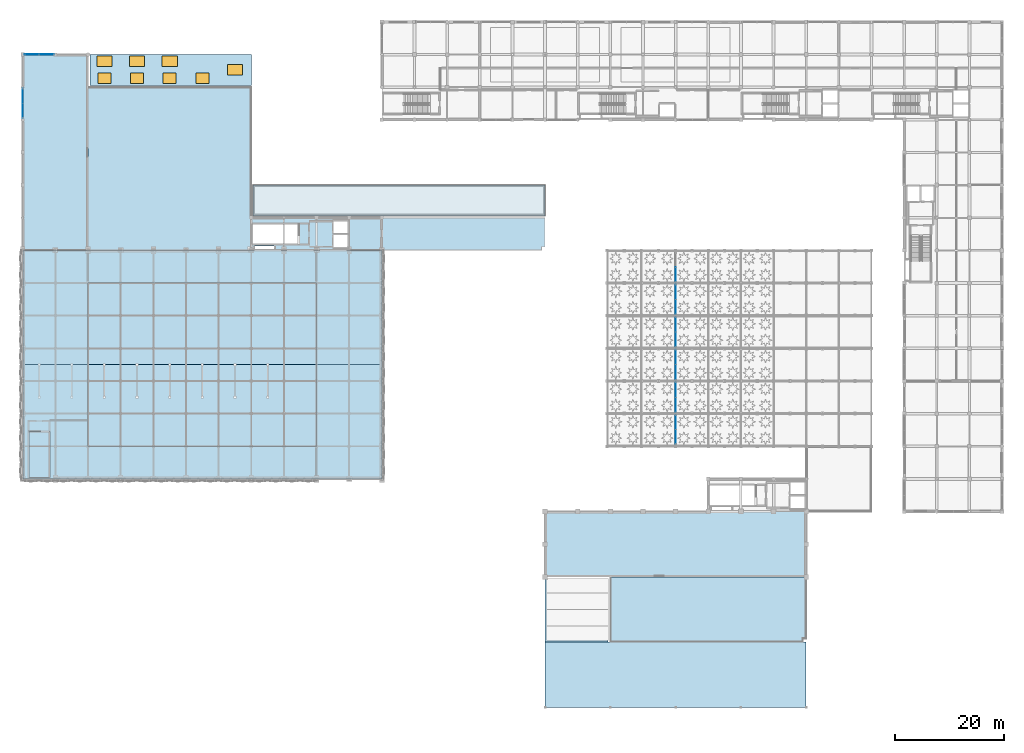
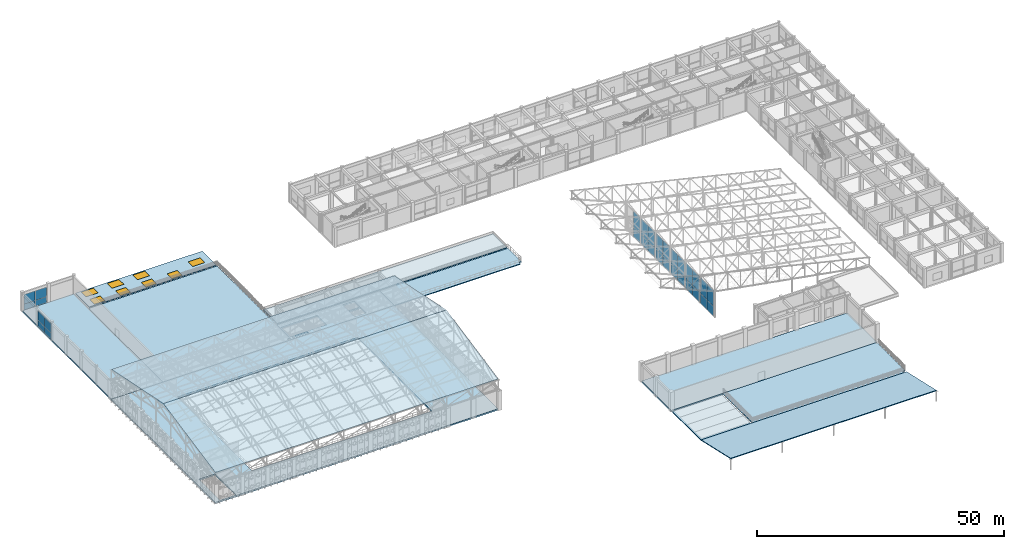
# One storey, part 82 of 112: 30 plates, 13 slabs, 8 windows, 8 openings, 8 elements without a shape of their own.
"""IFC4 building model written with IfcOpenShell, lengths in metres."""

from ifc_helpers import new_model, si_unit, direction, frame, frame_2d, origin, origin_2d, place, context, subcontext, project, spatial, polyline, rectangle, outline, extrude, material, layer, layer_set, type_object, element, fill, aggregate, save


model = new_model("IFC4")

# Units and contexts
model_context = context("Model", 3, precision=1e-05, world=origin(), true_north=direction((0.0, 1.0)))
body_context = subcontext(model_context, "Body", "Model", "MODEL_VIEW")
ifc_project = project(units=[si_unit("LENGTHUNIT", "METRE"), si_unit("AREAUNIT", "SQUARE_METRE"), si_unit("VOLUMEUNIT", "CUBIC_METRE"), si_unit("PLANEANGLEUNIT", "RADIAN"), si_unit("MASSUNIT", "GRAM", prefix="KILO"), si_unit("THERMODYNAMICTEMPERATUREUNIT", "KELVIN"), si_unit("POWERUNIT", "WATT")], contexts=[model_context])

# Site, building, storey
site_placement = place(None, origin())
site = spatial("IfcSite", under=ifc_project, at=site_placement, CompositionType="ELEMENT")
building_placement = place(site_placement, origin())
building = spatial("IfcBuilding", under=site, at=building_placement, Name="Phaisarnlok Congress Hotel", CompositionType="ELEMENT")
storey_placement = place(building_placement, frame((0.0, 0.0, 19.800048828125)))
storey = spatial("IfcBuildingStorey", under=building, at=storey_placement, Name="L04", CompositionType="ELEMENT", Elevation=19.800048828125)

# Curtain wall, plates
ifc_material_1 = material(Name="Thermally Broken Unitised Aluminium & Low-E Glazing", Category="aluminium")
curtain_wall_type_1 = type_object("IfcCurtainWallType", Name="CW-UNIT-33", PredefinedType="NOTDEFINED", material=ifc_material_1)
curtain_wall_1_placement = place(storey_placement, origin())
curtain_wall_1 = element("IfcCurtainWall", 1, at=curtain_wall_1_placement, inside=storey, type_object=curtain_wall_type_1, Name="Unitised curtain wall CW-33 (L04)", PredefinedType="NOTDEFINED")
ifc_material_2 = material(Name="Double Low-E Insulated Glazing", Category="glass")
ifc_layer_1 = layer(ifc_material_2, 0.028076171875, Name="Double Low-E Insulated Glazing")
ifc_layer_set_1 = layer_set([ifc_layer_1], Name="Double Low-E Insulated Glazing")
plate_type_1 = type_object("IfcPlateType", Name="CWP-GLZ-28", PredefinedType="CURTAIN_PANEL", material=ifc_layer_set_1)
plate_1_placement = place(storey_placement, frame((5.64990234375, 120.0, 0.0400390625), z_axis=(0.0, 0.0, 1.0), x_axis=(-1.0, 0.0, 0.0)))
plate_1 = element("IfcPlate", 2, at=plate_1_placement, type_object=plate_type_1, Name="Glazed curtain panel CWP-01", PredefinedType="CURTAIN_PANEL", context=body_context, shape_type="SweptSolid", body=[
    extrude(rectangle(XDim=2.622314453125, YDim=0.028076171875, at=frame_2d((1.31103515625, 0.0))), origin(), (0.0, 0.0, 1.0), 1.44580078125),
])
plate_2_placement = place(storey_placement, frame((5.64990234375, 120.0, 1.48583984375), z_axis=(0.0, 0.0, 1.0), x_axis=(-1.0, 0.0, 0.0)))
plate_2 = element("IfcPlate", 3, at=plate_2_placement, type_object=plate_type_1, Name="Glazed curtain panel CWP-01", PredefinedType="CURTAIN_PANEL", context=body_context, shape_type="SweptSolid", body=[
    extrude(rectangle(XDim=2.622314453125, YDim=0.028076171875, at=frame_2d((1.31103515625, 0.0))), origin(), (0.0, 0.0, 1.0), 2.384033203125),
])
plate_3_placement = place(storey_placement, frame((2.99755859375, 120.0, 0.0400390625), z_axis=(0.0, 0.0, 1.0), x_axis=(-1.0, 0.0, 0.0)))
plate_3 = element("IfcPlate", 4, at=plate_3_placement, type_object=plate_type_1, Name="Glazed curtain panel CWP-01", PredefinedType="CURTAIN_PANEL", context=body_context, shape_type="SweptSolid", body=[
    extrude(rectangle(XDim=2.62255859375, YDim=0.028076171875, at=frame_2d((1.311279296875, 0.0))), origin(), (0.0, 0.0, 1.0), 1.44580078125),
])
plate_4_placement = place(storey_placement, frame((2.99755859375, 120.0, 1.48583984375), z_axis=(0.0, 0.0, 1.0), x_axis=(-1.0, 0.0, 0.0)))
plate_4 = element("IfcPlate", 5, at=plate_4_placement, type_object=plate_type_1, Name="Glazed curtain panel CWP-01", PredefinedType="CURTAIN_PANEL", context=body_context, shape_type="SweptSolid", body=[
    extrude(rectangle(XDim=2.62255859375, YDim=0.028076171875, at=frame_2d((1.311279296875, 0.0))), origin(), (0.0, 0.0, 1.0), 2.384033203125),
])
aggregate(curtain_wall_1, [plate_1, plate_2, plate_3, plate_4])

curtain_wall_type_2 = type_object("IfcCurtainWallType", Name="CW-UNIT-34", PredefinedType="NOTDEFINED", material=ifc_material_1)
curtain_wall_2_placement = place(storey_placement, origin())
curtain_wall_2 = element("IfcCurtainWall", 6, at=curtain_wall_2_placement, inside=storey, type_object=curtain_wall_type_2, Name="Unitised curtain wall CW-34 (L04)", PredefinedType="NOTDEFINED")
plate_5_placement = place(storey_placement, frame((0.0, 113.720947265625, 0.0400390625), z_axis=(0.0, 0.0, 1.0), x_axis=(0.0, -1.0, 0.0)))
plate_5 = element("IfcPlate", 7, at=plate_5_placement, type_object=plate_type_1, Name="Glazed curtain panel CWP-01", PredefinedType="CURTAIN_PANEL", context=body_context, shape_type="SweptSolid", body=[
    extrude(rectangle(XDim=2.657958984375, YDim=0.028076171875, at=frame_2d((1.3291015625, 0.0))), origin(), (0.0, 0.0, 1.0), 1.44580078125),
])
plate_6_placement = place(storey_placement, frame((0.0, 113.720947265625, 1.48583984375), z_axis=(0.0, 0.0, 1.0), x_axis=(0.0, -1.0, 0.0)))
plate_6 = element("IfcPlate", 8, at=plate_6_placement, type_object=plate_type_1, Name="Glazed curtain panel CWP-01", PredefinedType="CURTAIN_PANEL", context=body_context, shape_type="SweptSolid", body=[
    extrude(rectangle(XDim=2.657958984375, YDim=0.028076171875, at=frame_2d((1.3291015625, 0.0))), origin(), (0.0, 0.0, 1.0), 2.384033203125),
])
plate_7_placement = place(storey_placement, frame((0.0, 111.032958984375, 0.0400390625), z_axis=(0.0, 0.0, 1.0), x_axis=(0.0, -1.0, 0.0)))
plate_7 = element("IfcPlate", 9, at=plate_7_placement, type_object=plate_type_1, Name="Glazed curtain panel CWP-01", PredefinedType="CURTAIN_PANEL", context=body_context, shape_type="SweptSolid", body=[
    extrude(rectangle(XDim=2.657958984375, YDim=0.028076171875, at=frame_2d((1.3291015625, 0.0))), origin(), (0.0, 0.0, 1.0), 1.44580078125),
])
plate_8_placement = place(storey_placement, frame((0.0, 111.032958984375, 1.48583984375), z_axis=(0.0, 0.0, 1.0), x_axis=(0.0, -1.0, 0.0)))
plate_8 = element("IfcPlate", 10, at=plate_8_placement, type_object=plate_type_1, Name="Glazed curtain panel CWP-01", PredefinedType="CURTAIN_PANEL", context=body_context, shape_type="SweptSolid", body=[
    extrude(rectangle(XDim=2.657958984375, YDim=0.028076171875, at=frame_2d((1.3291015625, 0.0))), origin(), (0.0, 0.0, 1.0), 2.384033203125),
])
aggregate(curtain_wall_2, [plate_5, plate_6, plate_7, plate_8])

curtain_wall_type_3 = type_object("IfcCurtainWallType", Name="CW-UNIT-42", PredefinedType="NOTDEFINED", material=ifc_material_1)
curtain_wall_3_placement = place(storey_placement, origin())
curtain_wall_3 = element("IfcCurtainWall", 11, at=curtain_wall_3_placement, inside=storey, type_object=curtain_wall_type_3, Name="Unitised curtain wall CW-42 (L04)", PredefinedType="NOTDEFINED")
ifc_material_3 = material(Name="Triple Acoustic Solar-Control Glazing", Category="glass")
ifc_layer_2 = layer(ifc_material_3, 0.035888671875, Name="Triple Acoustic Solar-Control Glazing")
ifc_layer_set_2 = layer_set([ifc_layer_2], Name="Triple Acoustic Solar-Control Glazing")
plate_type_2 = type_object("IfcPlateType", Name="CWP-GLZ-36", PredefinedType="CURTAIN_PANEL", material=ifc_layer_set_2)
plate_9_placement = place(storey_placement, frame((120.0, 53.739990234375, 0.030029296875), z_axis=(0.0, 0.0, 1.0), x_axis=(0.0, -1.0, 0.0)))
plate_9 = element("IfcPlate", 12, at=plate_9_placement, type_object=plate_type_2, Name="Glazed curtain panel CWP-02", PredefinedType="CURTAIN_PANEL", context=body_context, shape_type="SweptSolid", body=[
    extrude(rectangle(XDim=2.614990234375, YDim=0.028076171875, at=frame_2d((1.3076171875, 0.0))), origin(), (0.0, 0.0, 1.0), 2.4033203125),
])
plate_10_placement = place(storey_placement, frame((120.0, 53.739990234375, 2.433349609375), z_axis=(0.0, 0.0, 1.0), x_axis=(0.0, -1.0, 0.0)))
plate_10 = element("IfcPlate", 13, at=plate_10_placement, type_object=plate_type_2, Name="Glazed curtain panel CWP-02", PredefinedType="CURTAIN_PANEL", context=body_context, shape_type="SweptSolid", body=[
    extrude(rectangle(XDim=2.614990234375, YDim=0.028076171875, at=frame_2d((1.3076171875, 0.0))), origin(), (0.0, 0.0, 1.0), 3.946533203125),
])
plate_11_placement = place(storey_placement, frame((120.0, 51.094970703125, 0.030029296875), z_axis=(0.0, 0.0, 1.0), x_axis=(0.0, -1.0, 0.0)))
plate_11 = element("IfcPlate", 14, at=plate_11_placement, type_object=plate_type_2, Name="Glazed curtain panel CWP-02", PredefinedType="CURTAIN_PANEL", context=body_context, shape_type="SweptSolid", body=[
    extrude(rectangle(XDim=2.614990234375, YDim=0.028076171875, at=frame_2d((1.3076171875, 0.0))), origin(), (0.0, 0.0, 1.0), 2.4033203125),
])
plate_12_placement = place(storey_placement, frame((120.0, 51.094970703125, 2.433349609375), z_axis=(0.0, 0.0, 1.0), x_axis=(0.0, -1.0, 0.0)))
plate_12 = element("IfcPlate", 15, at=plate_12_placement, type_object=plate_type_2, Name="Glazed curtain panel CWP-02", PredefinedType="CURTAIN_PANEL", context=body_context, shape_type="SweptSolid", body=[
    extrude(rectangle(XDim=2.614990234375, YDim=0.028076171875, at=frame_2d((1.3076171875, 0.0))), origin(), (0.0, 0.0, 1.0), 3.946533203125),
])
aggregate(curtain_wall_3, [plate_9, plate_10, plate_11, plate_12])

curtain_wall_type_4 = type_object("IfcCurtainWallType", Name="CW-UNIT-45", PredefinedType="NOTDEFINED", material=ifc_material_1)
curtain_wall_4_placement = place(storey_placement, origin())
curtain_wall_4 = element("IfcCurtainWall", 16, at=curtain_wall_4_placement, inside=storey, type_object=curtain_wall_type_4, Name="Unitised curtain wall CW-45 (L04)", PredefinedType="NOTDEFINED")
plate_13_placement = place(storey_placement, frame((120.0, 59.739990234375, 0.030029296875), z_axis=(0.0, 0.0, 1.0), x_axis=(0.0, -1.0, 0.0)))
plate_13 = element("IfcPlate", 17, at=plate_13_placement, type_object=plate_type_2, Name="Glazed curtain panel CWP-02", PredefinedType="CURTAIN_PANEL", context=body_context, shape_type="SweptSolid", body=[
    extrude(rectangle(XDim=2.72509765625, YDim=0.028076171875, at=frame_2d((1.362548828125, 0.0))), origin(), (0.0, 0.0, 1.0), 2.4033203125),
])
plate_14_placement = place(storey_placement, frame((120.0, 59.739990234375, 2.433349609375), z_axis=(0.0, 0.0, 1.0), x_axis=(0.0, -1.0, 0.0)))
plate_14 = element("IfcPlate", 18, at=plate_14_placement, type_object=plate_type_2, Name="Glazed curtain panel CWP-02", PredefinedType="CURTAIN_PANEL", context=body_context, shape_type="SweptSolid", body=[
    extrude(rectangle(XDim=2.72509765625, YDim=0.028076171875, at=frame_2d((1.362548828125, 0.0))), origin(), (0.0, 0.0, 1.0), 3.946533203125),
])
plate_15_placement = place(storey_placement, frame((120.0, 56.985107421875, 0.030029296875), z_axis=(0.0, 0.0, 1.0), x_axis=(0.0, -1.0, 0.0)))
plate_15 = element("IfcPlate", 19, at=plate_15_placement, type_object=plate_type_2, Name="Glazed curtain panel CWP-02", PredefinedType="CURTAIN_PANEL", context=body_context, shape_type="SweptSolid", body=[
    extrude(rectangle(XDim=2.72509765625, YDim=0.028076171875, at=frame_2d((1.362548828125, 0.0))), origin(), (0.0, 0.0, 1.0), 2.4033203125),
])
plate_16_placement = place(storey_placement, frame((120.0, 56.985107421875, 2.433349609375), z_axis=(0.0, 0.0, 1.0), x_axis=(0.0, -1.0, 0.0)))
plate_16 = element("IfcPlate", 20, at=plate_16_placement, type_object=plate_type_2, Name="Glazed curtain panel CWP-02", PredefinedType="CURTAIN_PANEL", context=body_context, shape_type="SweptSolid", body=[
    extrude(rectangle(XDim=2.72509765625, YDim=0.028076171875, at=frame_2d((1.362548828125, 0.0))), origin(), (0.0, 0.0, 1.0), 3.946533203125),
])
aggregate(curtain_wall_4, [plate_13, plate_14, plate_15, plate_16])

curtain_wall_5_placement = place(storey_placement, origin())
curtain_wall_5 = element("IfcCurtainWall", 21, at=curtain_wall_5_placement, inside=storey, type_object=curtain_wall_type_4, Name="Unitised curtain wall CW-45 (L04)", PredefinedType="NOTDEFINED")
plate_17_placement = place(storey_placement, frame((120.0, 65.739990234375, 0.030029296875), z_axis=(0.0, 0.0, 1.0), x_axis=(0.0, -1.0, 0.0)))
plate_17 = element("IfcPlate", 22, at=plate_17_placement, type_object=plate_type_2, Name="Glazed curtain panel CWP-02", PredefinedType="CURTAIN_PANEL", context=body_context, shape_type="SweptSolid", body=[
    extrude(rectangle(XDim=2.72509765625, YDim=0.028076171875, at=frame_2d((1.362548828125, 0.0))), origin(), (0.0, 0.0, 1.0), 2.4033203125),
])
plate_18_placement = place(storey_placement, frame((120.0, 65.739990234375, 2.433349609375), z_axis=(0.0, 0.0, 1.0), x_axis=(0.0, -1.0, 0.0)))
plate_18 = element("IfcPlate", 23, at=plate_18_placement, type_object=plate_type_2, Name="Glazed curtain panel CWP-02", PredefinedType="CURTAIN_PANEL", context=body_context, shape_type="SweptSolid", body=[
    extrude(rectangle(XDim=2.72509765625, YDim=0.028076171875, at=frame_2d((1.362548828125, 0.0))), origin(), (0.0, 0.0, 1.0), 3.946533203125),
])
plate_19_placement = place(storey_placement, frame((120.0, 62.985107421875, 0.030029296875), z_axis=(0.0, 0.0, 1.0), x_axis=(0.0, -1.0, 0.0)))
plate_19 = element("IfcPlate", 24, at=plate_19_placement, type_object=plate_type_2, Name="Glazed curtain panel CWP-02", PredefinedType="CURTAIN_PANEL", context=body_context, shape_type="SweptSolid", body=[
    extrude(rectangle(XDim=2.72509765625, YDim=0.028076171875, at=frame_2d((1.362548828125, 0.0))), origin(), (0.0, 0.0, 1.0), 2.4033203125),
])
plate_20_placement = place(storey_placement, frame((120.0, 62.985107421875, 2.433349609375), z_axis=(0.0, 0.0, 1.0), x_axis=(0.0, -1.0, 0.0)))
plate_20 = element("IfcPlate", 25, at=plate_20_placement, type_object=plate_type_2, Name="Glazed curtain panel CWP-02", PredefinedType="CURTAIN_PANEL", context=body_context, shape_type="SweptSolid", body=[
    extrude(rectangle(XDim=2.72509765625, YDim=0.028076171875, at=frame_2d((1.362548828125, 0.0))), origin(), (0.0, 0.0, 1.0), 3.946533203125),
])
aggregate(curtain_wall_5, [plate_17, plate_18, plate_19, plate_20])

curtain_wall_6_placement = place(storey_placement, origin())
curtain_wall_6 = element("IfcCurtainWall", 26, at=curtain_wall_6_placement, inside=storey, type_object=curtain_wall_type_4, Name="Unitised curtain wall CW-45 (L04)", PredefinedType="NOTDEFINED")
plate_21_placement = place(storey_placement, frame((120.0, 71.739990234375, 0.030029296875), z_axis=(0.0, 0.0, 1.0), x_axis=(0.0, -1.0, 0.0)))
plate_21 = element("IfcPlate", 27, at=plate_21_placement, type_object=plate_type_2, Name="Glazed curtain panel CWP-02", PredefinedType="CURTAIN_PANEL", context=body_context, shape_type="SweptSolid", body=[
    extrude(rectangle(XDim=2.72509765625, YDim=0.028076171875, at=frame_2d((1.362548828125, 0.0))), origin(), (0.0, 0.0, 1.0), 2.4033203125),
])
plate_22_placement = place(storey_placement, frame((120.0, 71.739990234375, 2.433349609375), z_axis=(0.0, 0.0, 1.0), x_axis=(0.0, -1.0, 0.0)))
plate_22 = element("IfcPlate", 28, at=plate_22_placement, type_object=plate_type_2, Name="Glazed curtain panel CWP-02", PredefinedType="CURTAIN_PANEL", context=body_context, shape_type="SweptSolid", body=[
    extrude(rectangle(XDim=2.72509765625, YDim=0.028076171875, at=frame_2d((1.362548828125, 0.0))), origin(), (0.0, 0.0, 1.0), 3.946533203125),
])
plate_23_placement = place(storey_placement, frame((120.0, 68.985107421875, 0.030029296875), z_axis=(0.0, 0.0, 1.0), x_axis=(0.0, -1.0, 0.0)))
plate_23 = element("IfcPlate", 29, at=plate_23_placement, type_object=plate_type_2, Name="Glazed curtain panel CWP-02", PredefinedType="CURTAIN_PANEL", context=body_context, shape_type="SweptSolid", body=[
    extrude(rectangle(XDim=2.72509765625, YDim=0.028076171875, at=frame_2d((1.362548828125, 0.0))), origin(), (0.0, 0.0, 1.0), 2.4033203125),
])
plate_24_placement = place(storey_placement, frame((120.0, 68.985107421875, 2.433349609375), z_axis=(0.0, 0.0, 1.0), x_axis=(0.0, -1.0, 0.0)))
plate_24 = element("IfcPlate", 30, at=plate_24_placement, type_object=plate_type_2, Name="Glazed curtain panel CWP-02", PredefinedType="CURTAIN_PANEL", context=body_context, shape_type="SweptSolid", body=[
    extrude(rectangle(XDim=2.72509765625, YDim=0.028076171875, at=frame_2d((1.362548828125, 0.0))), origin(), (0.0, 0.0, 1.0), 3.946533203125),
])
aggregate(curtain_wall_6, [plate_21, plate_22, plate_23, plate_24])

curtain_wall_7_placement = place(storey_placement, origin())
curtain_wall_7 = element("IfcCurtainWall", 31, at=curtain_wall_7_placement, inside=storey, type_object=curtain_wall_type_4, Name="Unitised curtain wall CW-45 (L04)", PredefinedType="NOTDEFINED")
plate_25_placement = place(storey_placement, frame((120.0, 77.739990234375, 0.030029296875), z_axis=(0.0, 0.0, 1.0), x_axis=(0.0, -1.0, 0.0)))
plate_25 = element("IfcPlate", 32, at=plate_25_placement, type_object=plate_type_2, Name="Glazed curtain panel CWP-02", PredefinedType="CURTAIN_PANEL", context=body_context, shape_type="SweptSolid", body=[
    extrude(rectangle(XDim=2.72509765625, YDim=0.028076171875, at=frame_2d((1.362548828125, 0.0))), origin(), (0.0, 0.0, 1.0), 2.4033203125),
])
plate_26_placement = place(storey_placement, frame((120.0, 77.739990234375, 2.433349609375), z_axis=(0.0, 0.0, 1.0), x_axis=(0.0, -1.0, 0.0)))
plate_26 = element("IfcPlate", 33, at=plate_26_placement, type_object=plate_type_2, Name="Glazed curtain panel CWP-02", PredefinedType="CURTAIN_PANEL", context=body_context, shape_type="SweptSolid", body=[
    extrude(rectangle(XDim=2.72509765625, YDim=0.028076171875, at=frame_2d((1.362548828125, 0.0))), origin(), (0.0, 0.0, 1.0), 3.946533203125),
])
plate_27_placement = place(storey_placement, frame((120.0, 74.985107421875, 0.030029296875), z_axis=(0.0, 0.0, 1.0), x_axis=(0.0, -1.0, 0.0)))
plate_27 = element("IfcPlate", 34, at=plate_27_placement, type_object=plate_type_2, Name="Glazed curtain panel CWP-02", PredefinedType="CURTAIN_PANEL", context=body_context, shape_type="SweptSolid", body=[
    extrude(rectangle(XDim=2.72509765625, YDim=0.028076171875, at=frame_2d((1.362548828125, 0.0))), origin(), (0.0, 0.0, 1.0), 2.4033203125),
])
plate_28_placement = place(storey_placement, frame((120.0, 74.985107421875, 2.433349609375), z_axis=(0.0, 0.0, 1.0), x_axis=(0.0, -1.0, 0.0)))
plate_28 = element("IfcPlate", 35, at=plate_28_placement, type_object=plate_type_2, Name="Glazed curtain panel CWP-02", PredefinedType="CURTAIN_PANEL", context=body_context, shape_type="SweptSolid", body=[
    extrude(rectangle(XDim=2.72509765625, YDim=0.028076171875, at=frame_2d((1.362548828125, 0.0))), origin(), (0.0, 0.0, 1.0), 3.946533203125),
])
aggregate(curtain_wall_7, [plate_25, plate_26, plate_27, plate_28])

curtain_wall_8_placement = place(storey_placement, origin())
curtain_wall_8 = element("IfcCurtainWall", 36, at=curtain_wall_8_placement, inside=storey, type_object=curtain_wall_type_3, Name="Unitised curtain wall CW-42 (L04)", PredefinedType="NOTDEFINED")
plate_29_placement = place(storey_placement, frame((120.0, 80.875, 0.030029296875), z_axis=(0.0, 0.0, 1.0), x_axis=(0.0, -1.0, 0.0)))
plate_29 = element("IfcPlate", 37, at=plate_29_placement, type_object=plate_type_2, Name="Glazed curtain panel CWP-02", PredefinedType="CURTAIN_PANEL", context=body_context, shape_type="SweptSolid", body=[
    extrude(rectangle(XDim=2.614990234375, YDim=0.028076171875, at=frame_2d((1.3076171875, 0.0))), origin(), (0.0, 0.0, 1.0), 2.4033203125),
])
plate_30_placement = place(storey_placement, frame((120.0, 80.875, 2.433349609375), z_axis=(0.0, 0.0, 1.0), x_axis=(0.0, -1.0, 0.0)))
plate_30 = element("IfcPlate", 38, at=plate_30_placement, type_object=plate_type_2, Name="Glazed curtain panel CWP-02", PredefinedType="CURTAIN_PANEL", context=body_context, shape_type="SweptSolid", body=[
    extrude(rectangle(XDim=2.614990234375, YDim=0.028076171875, at=frame_2d((1.3076171875, 0.0))), origin(), (0.0, 0.0, 1.0), 3.946533203125),
])
aggregate(curtain_wall_8, [plate_29, plate_30])

# Slabs
ifc_material_4 = material(Name="Concrete C40/50", Category="concrete")
ifc_layer_3 = layer(ifc_material_4, 0.35009765625, Name="Concrete C40/50")
ifc_layer_set_3 = layer_set([ifc_layer_3], Name="Concrete C40/50")
slab_type_1 = type_object("IfcSlabType", Name="SLB-INT-350", PredefinedType="FLOOR", material=ifc_layer_set_3)
slab_1_placement = place(storey_placement, frame((0.0, 0.0, -0.35009765625)))
element("IfcSlab", 39, at=slab_1_placement, inside=storey, type_object=slab_type_1, Name="Floor slab SL-INT-350 (L04 v1_lobby)", PredefinedType="FLOOR", context=body_context, shape_type="SweptSolid", body=[
    extrude(outline(polyline([(66.0, 42.0), (66.0, 84.0), (0.0, 84.0), (0.0, 42.0), (66.0, 42.0)]), holes=[polyline([(12.0, 48.0), (54.0, 48.0), (54.0, 78.0), (12.0, 78.0), (12.0, 48.0)]), polyline([(1.199951171875, 50.719970703125), (1.199951171875, 42.300048828125), (5.0, 42.300048828125), (5.0, 50.719970703125), (1.199951171875, 50.719970703125)])]), origin(), (0.0, 0.0, 1.0), 0.35009765625),
])
slab_2_placement = place(storey_placement, frame((0.0, 0.0, -0.35009765625)))
element("IfcSlab", 40, at=slab_2_placement, inside=storey, type_object=slab_type_1, Name="Floor slab SL-INT-350 (L04 v2_salon)", PredefinedType="FLOOR", context=body_context, shape_type="SweptSolid", body=[
    extrude(outline(polyline([(144.0, 24.0), (144.0, 36.0), (96.0, 36.0), (96.0, 24.0), (144.0, 24.0)])), origin(), (0.0, 0.0, 1.0), 0.35009765625),
])
slab_3_placement = place(storey_placement, frame((0.0, 0.0, -0.35009765625)))
element("IfcSlab", 41, at=slab_3_placement, inside=storey, type_object=slab_type_1, Name="Floor slab SL-INT-350 (L04 v3_mezz)", PredefinedType="FLOOR", context=body_context, shape_type="SweptSolid", body=[
    extrude(outline(polyline([(12.0, 84.0), (12.0, 120.0), (0.0, 120.0), (0.0, 84.0), (12.0, 84.0)])), origin(), (0.0, 0.0, 1.0), 0.35009765625),
])
slab_4_placement = place(storey_placement, frame((0.0, 0.0, -0.35009765625)))
element("IfcSlab", 42, at=slab_4_placement, inside=storey, type_object=slab_type_1, Name="Floor slab SL-INT-350 (L04 v4_n_core)", PredefinedType="FLOOR", context=body_context, shape_type="SweptSolid", body=[
    extrude(outline(polyline([(66.0, 84.0), (66.0, 90.0), (42.0, 90.0), (42.0, 84.0), (66.0, 84.0)]), holes=[polyline([(50.719970703125, 88.800048828125), (42.300048828125, 88.800048828125), (42.300048828125, 85.0), (50.719970703125, 85.0), (50.719970703125, 88.800048828125)]), polyline([(59.75, 84.60009765625), (59.75, 86.85009765625), (57.10009765625, 86.85009765625), (57.10009765625, 84.60009765625), (59.75, 84.60009765625)]), polyline([(59.75, 87.14990234375), (59.75, 89.39990234375), (57.10009765625, 89.39990234375), (57.10009765625, 87.14990234375), (59.75, 87.14990234375)]), polyline([(46.199951171875, 84.25), (46.199951171875, 84.85009765625), (42.60009765625, 84.85009765625), (42.60009765625, 84.25), (46.199951171875, 84.25)])]), origin(), (0.0, 0.0, 1.0), 0.35009765625),
])
ifc_layer_4 = layer(ifc_material_4, 0.179931640625, Name="Concrete C40/50")
ifc_layer_set_4 = layer_set([ifc_layer_4], Name="Concrete C40/50")
slab_type_2 = type_object("IfcSlabType", Name="SLB-ROOF-180", PredefinedType="ROOF", material=ifc_layer_set_4)
for number, where, z_axis, x_axis, name in (
    (43, (0.0, 42.0, 7.369873046875), (0.0, -0.199366260807, 0.979925045119), (1.0, 0.0, 0.0), "Congress Hall pitched space-frame roof slab south slope"),
    (44, (66.0, 84.0, 7.369873046875), (0.0, 0.199366260807, 0.979925045119), (-1.0, 0.0, 0.0), "Congress Hall pitched space-frame roof slab north slope"),
):
    element("IfcSlab", number, at=place(storey_placement, frame(where, z_axis=z_axis, x_axis=x_axis)), inside=storey, type_object=slab_type_2, Name=name, PredefinedType="ROOF", context=body_context, shape_type="SweptSolid", body=[
        extrude(outline(polyline([(0.0, 0.0), (66.0, 0.0), (66.0, 21.430210509056213), (0.0, 21.430210509056213), (0.0, 0.0)])), origin(), (0.0, 0.0, -1.0), 0.179931640625),
    ])
slab_5_placement = place(storey_placement, frame((96.0, 12.0, 0.02001953125), z_axis=(0.0, 0.22028279945, 0.975436050321), x_axis=(1.0, 0.0, 0.0)))
element("IfcSlab", 45, at=slab_5_placement, inside=storey, type_object=slab_type_2, Name="Grand Ballroom pitched roof slab", PredefinedType="ROOF", context=body_context, shape_type="SweptSolid", body=[
    extrude(outline(polyline([(0.0, 0.0), (48.0, 0.0), (48.0, -12.302190385568576), (0.0, -12.302190385568576), (0.0, 0.0)])), origin(), (0.0, 0.0, -1.0), 0.179931640625),
])
ifc_layer_5 = layer(ifc_material_4, 0.239990234375, Name="Concrete C40/50")
ifc_layer_set_5 = layer_set([ifc_layer_5], Name="Concrete C40/50")
slab_type_3 = type_object("IfcSlabType", Name="SLB-ROOF-240", PredefinedType="ROOF", material=ifc_layer_set_5)
slab_6_placement = place(storey_placement, frame((0.0, 0.0, -0.239990234375)))
element("IfcSlab", 46, at=slab_6_placement, inside=storey, type_object=slab_type_3, Name="Podium setback roof slab SL-ROOF-240 (L04 pod_min_n)", PredefinedType="ROOF", context=body_context, shape_type="SweptSolid", body=[
    extrude(outline(polyline([(42.340087890625, 90.340087890625), (96.0, 90.340087890625), (96.0, 96.0), (42.340087890625, 96.0), (42.340087890625, 90.340087890625)])), origin(), (0.0, 0.0, 1.0), 0.239990234375),
])
slab_7_placement = place(storey_placement, frame((0.0, 0.0, -0.239990234375)))
element("IfcSlab", 47, at=slab_7_placement, inside=storey, type_object=slab_type_3, Name="Grand Ballroom west roof deck", PredefinedType="ROOF", context=body_context, shape_type="SweptSolid", body=[
    extrude(outline(polyline([(96.0, 12.0), (107.60009765625, 12.0), (107.60009765625, 23.60009765625), (96.0, 23.60009765625), (96.0, 12.0)])), origin(), (0.0, 0.0, 1.0), 0.239990234375),
])

# Slab, openings, windows
slab_8_placement = place(storey_placement, frame((0.0, 0.0, -0.239990234375)))
slab_8 = element("IfcSlab", 48, at=slab_8_placement, inside=storey, type_object=slab_type_3, Name="Spa Vitality Pool skylight roof deck", PredefinedType="ROOF", context=body_context, shape_type="SweptSolid", body=[
    extrude(outline(polyline([(12.35009765625, 114.35009765625), (42.0, 114.35009765625), (42.0, 120.0), (12.35009765625, 120.0), (12.35009765625, 114.35009765625)])), origin(), (0.0, 0.0, 1.0), 0.239990234375),
])
opening_1_placement = place(slab_8_placement, frame((15.0, 115.64990234375, 0.0)))
opening_1 = element("IfcOpeningElement", 49, at=opening_1_placement, cuts=slab_8, Name="Opening SK-01", PredefinedType="OPENING", context=body_context, shape_type="SweptSolid", body=[
    extrude(rectangle(XDim=2.39990234375, YDim=1.89990234375, at=origin_2d()), frame((0.0, 0.0, -0.010009765625)), (0.0, 0.0, 1.0), 0.260009765625),
])
opening_2_placement = place(slab_8_placement, frame((15.0, 118.75, 0.0)))
opening_2 = element("IfcOpeningElement", 50, at=opening_2_placement, cuts=slab_8, Name="Opening SK-02", PredefinedType="OPENING", context=body_context, shape_type="SweptSolid", body=[
    extrude(rectangle(XDim=2.800048828125, YDim=1.89990234375, at=origin_2d()), frame((0.0, 0.0, -0.010009765625)), (0.0, 0.0, 1.0), 0.260009765625),
])
opening_3_placement = place(slab_8_placement, frame((21.0, 115.64990234375, 0.0)))
opening_3 = element("IfcOpeningElement", 51, at=opening_3_placement, cuts=slab_8, Name="Opening SK-01", PredefinedType="OPENING", context=body_context, shape_type="SweptSolid", body=[
    extrude(rectangle(XDim=2.39990234375, YDim=1.89990234375, at=origin_2d()), frame((0.0, 0.0, -0.010009765625)), (0.0, 0.0, 1.0), 0.260009765625),
])
opening_4_placement = place(slab_8_placement, frame((21.0, 118.75, 0.0)))
opening_4 = element("IfcOpeningElement", 52, at=opening_4_placement, cuts=slab_8, Name="Opening SK-02", PredefinedType="OPENING", context=body_context, shape_type="SweptSolid", body=[
    extrude(rectangle(XDim=2.800048828125, YDim=1.89990234375, at=origin_2d()), frame((0.0, 0.0, -0.010009765625)), (0.0, 0.0, 1.0), 0.260009765625),
])
opening_5_placement = place(slab_8_placement, frame((27.0, 115.64990234375, 0.0)))
opening_5 = element("IfcOpeningElement", 53, at=opening_5_placement, cuts=slab_8, Name="Opening SK-01", PredefinedType="OPENING", context=body_context, shape_type="SweptSolid", body=[
    extrude(rectangle(XDim=2.39990234375, YDim=1.89990234375, at=origin_2d()), frame((0.0, 0.0, -0.010009765625)), (0.0, 0.0, 1.0), 0.260009765625),
])
opening_6_placement = place(slab_8_placement, frame((27.0, 118.75, 0.0)))
opening_6 = element("IfcOpeningElement", 54, at=opening_6_placement, cuts=slab_8, Name="Opening SK-02", PredefinedType="OPENING", context=body_context, shape_type="SweptSolid", body=[
    extrude(rectangle(XDim=2.800048828125, YDim=1.89990234375, at=origin_2d()), frame((0.0, 0.0, -0.010009765625)), (0.0, 0.0, 1.0), 0.260009765625),
])
opening_7_placement = place(slab_8_placement, frame((33.0, 115.64990234375, 0.0)))
opening_7 = element("IfcOpeningElement", 55, at=opening_7_placement, cuts=slab_8, Name="Opening SK-01", PredefinedType="OPENING", context=body_context, shape_type="SweptSolid", body=[
    extrude(rectangle(XDim=2.39990234375, YDim=1.89990234375, at=origin_2d()), frame((0.0, 0.0, -0.010009765625)), (0.0, 0.0, 1.0), 0.260009765625),
])
opening_8_placement = place(slab_8_placement, frame((39.0, 117.199951171875, 0.0)))
opening_8 = element("IfcOpeningElement", 56, at=opening_8_placement, cuts=slab_8, Name="Opening SK-02", PredefinedType="OPENING", context=body_context, shape_type="SweptSolid", body=[
    extrude(rectangle(XDim=2.800048828125, YDim=1.89990234375, at=origin_2d()), frame((0.0, 0.0, -0.010009765625)), (0.0, 0.0, 1.0), 0.260009765625),
])
ifc_material_5 = material(Name="Thermally Broken Aluminium & Low-E Double Glazing", Category="aluminium")
window_type_1 = type_object("IfcWindowType", Name="SKY-POOL-2400", PartitioningType="SINGLE_PANEL", PredefinedType="SKYLIGHT", material=ifc_material_5)
window_1_placement = place(opening_1_placement, frame((0.0, 0.0, 0.18994140625)))
window_1 = element("IfcWindow", 57, at=window_1_placement, inside=storey, type_object=window_type_1, Name="Vitality Pool skylight SK-01", OverallHeight=1.89990234375, OverallWidth=2.39990234375, PartitioningType="SINGLE_PANEL", PredefinedType="SKYLIGHT", context=body_context, shape_type="SweptSolid", body=[
    extrude(rectangle(XDim=2.39990234375, YDim=1.89990234375, at=origin_2d()), origin(), (0.0, 0.0, 1.0), 0.050048828125),
])
fill(opening_1, window_1)
window_2_placement = place(opening_3_placement, frame((0.0, 0.0, 0.18994140625)))
window_2 = element("IfcWindow", 58, at=window_2_placement, inside=storey, type_object=window_type_1, Name="Vitality Pool skylight SK-01", OverallHeight=1.89990234375, OverallWidth=2.39990234375, PartitioningType="SINGLE_PANEL", PredefinedType="SKYLIGHT", context=body_context, shape_type="SweptSolid", body=[
    extrude(rectangle(XDim=2.39990234375, YDim=1.89990234375, at=origin_2d()), origin(), (0.0, 0.0, 1.0), 0.050048828125),
])
fill(opening_3, window_2)
window_3_placement = place(opening_5_placement, frame((0.0, 0.0, 0.18994140625)))
window_3 = element("IfcWindow", 59, at=window_3_placement, inside=storey, type_object=window_type_1, Name="Vitality Pool skylight SK-01", OverallHeight=1.89990234375, OverallWidth=2.39990234375, PartitioningType="SINGLE_PANEL", PredefinedType="SKYLIGHT", context=body_context, shape_type="SweptSolid", body=[
    extrude(rectangle(XDim=2.39990234375, YDim=1.89990234375, at=origin_2d()), origin(), (0.0, 0.0, 1.0), 0.050048828125),
])
fill(opening_5, window_3)
window_4_placement = place(opening_7_placement, frame((0.0, 0.0, 0.18994140625)))
window_4 = element("IfcWindow", 60, at=window_4_placement, inside=storey, type_object=window_type_1, Name="Vitality Pool skylight SK-01", OverallHeight=1.89990234375, OverallWidth=2.39990234375, PartitioningType="SINGLE_PANEL", PredefinedType="SKYLIGHT", context=body_context, shape_type="SweptSolid", body=[
    extrude(rectangle(XDim=2.39990234375, YDim=1.89990234375, at=origin_2d()), origin(), (0.0, 0.0, 1.0), 0.050048828125),
])
fill(opening_7, window_4)
window_type_2 = type_object("IfcWindowType", Name="SKY-POOL-3000", PartitioningType="SINGLE_PANEL", PredefinedType="SKYLIGHT", material=ifc_material_5)
window_5_placement = place(opening_2_placement, frame((0.0, 0.0, 0.18994140625)))
window_5 = element("IfcWindow", 61, at=window_5_placement, inside=storey, type_object=window_type_2, Name="Vitality Pool skylight SK-02", OverallHeight=1.89990234375, OverallWidth=2.800048828125, PartitioningType="SINGLE_PANEL", PredefinedType="SKYLIGHT", context=body_context, shape_type="SweptSolid", body=[
    extrude(rectangle(XDim=2.800048828125, YDim=1.89990234375, at=origin_2d()), origin(), (0.0, 0.0, 1.0), 0.050048828125),
])
fill(opening_2, window_5)
window_6_placement = place(opening_4_placement, frame((0.0, 0.0, 0.18994140625)))
window_6 = element("IfcWindow", 62, at=window_6_placement, inside=storey, type_object=window_type_2, Name="Vitality Pool skylight SK-02", OverallHeight=1.89990234375, OverallWidth=2.800048828125, PartitioningType="SINGLE_PANEL", PredefinedType="SKYLIGHT", context=body_context, shape_type="SweptSolid", body=[
    extrude(rectangle(XDim=2.800048828125, YDim=1.89990234375, at=origin_2d()), origin(), (0.0, 0.0, 1.0), 0.050048828125),
])
fill(opening_4, window_6)
window_7_placement = place(opening_6_placement, frame((0.0, 0.0, 0.18994140625)))
window_7 = element("IfcWindow", 63, at=window_7_placement, inside=storey, type_object=window_type_2, Name="Vitality Pool skylight SK-02", OverallHeight=1.89990234375, OverallWidth=2.800048828125, PartitioningType="SINGLE_PANEL", PredefinedType="SKYLIGHT", context=body_context, shape_type="SweptSolid", body=[
    extrude(rectangle(XDim=2.800048828125, YDim=1.89990234375, at=origin_2d()), origin(), (0.0, 0.0, 1.0), 0.050048828125),
])
fill(opening_6, window_7)
window_8_placement = place(opening_8_placement, frame((0.0, 0.0, 0.18994140625)))
window_8 = element("IfcWindow", 64, at=window_8_placement, inside=storey, type_object=window_type_2, Name="Vitality Pool skylight SK-02", OverallHeight=1.89990234375, OverallWidth=2.800048828125, PartitioningType="SINGLE_PANEL", PredefinedType="SKYLIGHT", context=body_context, shape_type="SweptSolid", body=[
    extrude(rectangle(XDim=2.800048828125, YDim=1.89990234375, at=origin_2d()), origin(), (0.0, 0.0, 1.0), 0.050048828125),
])
fill(opening_8, window_8)

# Slabs
ifc_layer_6 = layer(ifc_material_4, 0.199951171875, Name="Concrete C40/50")
ifc_layer_set_6 = layer_set([ifc_layer_6], Name="Concrete C40/50")
slab_type_4 = type_object("IfcSlabType", Name="SLB-TER-200", PredefinedType="FLOOR", material=ifc_layer_set_6)
slab_9_placement = place(storey_placement, frame((0.0, 0.0, -0.199951171875)))
element("IfcSlab", 65, at=slab_9_placement, inside=storey, type_object=slab_type_4, Name="Outdoor terrace slab SL-TER-200 (L04 ballroom_garden)", PredefinedType="FLOOR", context=body_context, shape_type="SweptSolid", body=[
    extrude(outline(polyline([(108.0, 12.0), (143.39990234375, 12.0), (143.39990234375, 12.60009765625), (144.0, 12.60009765625), (144.0, 24.0), (108.0, 24.0), (108.0, 12.0)])), origin(), (0.0, 0.0, 1.0), 0.199951171875),
])
slab_10_placement = place(storey_placement, frame((0.0, 0.0, -0.199951171875)))
element("IfcSlab", 66, at=slab_10_placement, inside=storey, type_object=slab_type_4, Name="Outdoor terrace slab SL-TER-200 (L04 cloister_terrace_n)", PredefinedType="FLOOR", context=body_context, shape_type="SweptSolid", body=[
    extrude(outline(polyline([(66.0, 84.0), (95.39990234375, 84.0), (95.39990234375, 84.60009765625), (96.0, 84.60009765625), (96.0, 90.0), (66.0, 90.0), (66.0, 84.0)])), origin(), (0.0, 0.0, 1.0), 0.199951171875),
])
ifc_layer_7 = layer(ifc_material_4, 0.2099609375, Name="Concrete C40/50")
ifc_layer_set_7 = layer_set([ifc_layer_7], Name="Concrete C40/50")
slab_type_5 = type_object("IfcSlabType", Name="SLB-TER-210", PredefinedType="FLOOR", material=ifc_layer_set_7)
slab_11_placement = place(storey_placement, frame((0.0, 0.0, -0.2099609375)))
element("IfcSlab", 67, at=slab_11_placement, inside=storey, type_object=slab_type_5, Name="Outdoor terrace slab SL-TER-210 (L04 spa_sky_deck)", PredefinedType="FLOOR", context=body_context, shape_type="SweptSolid", body=[
    extrude(outline(polyline([(12.0, 84.0), (41.39990234375, 84.0), (41.39990234375, 84.60009765625), (42.0, 84.60009765625), (42.0, 114.0), (12.0, 114.0), (12.0, 84.0)])), origin(), (0.0, 0.0, 1.0), 0.2099609375),
])

save(model, "model.ifc")
